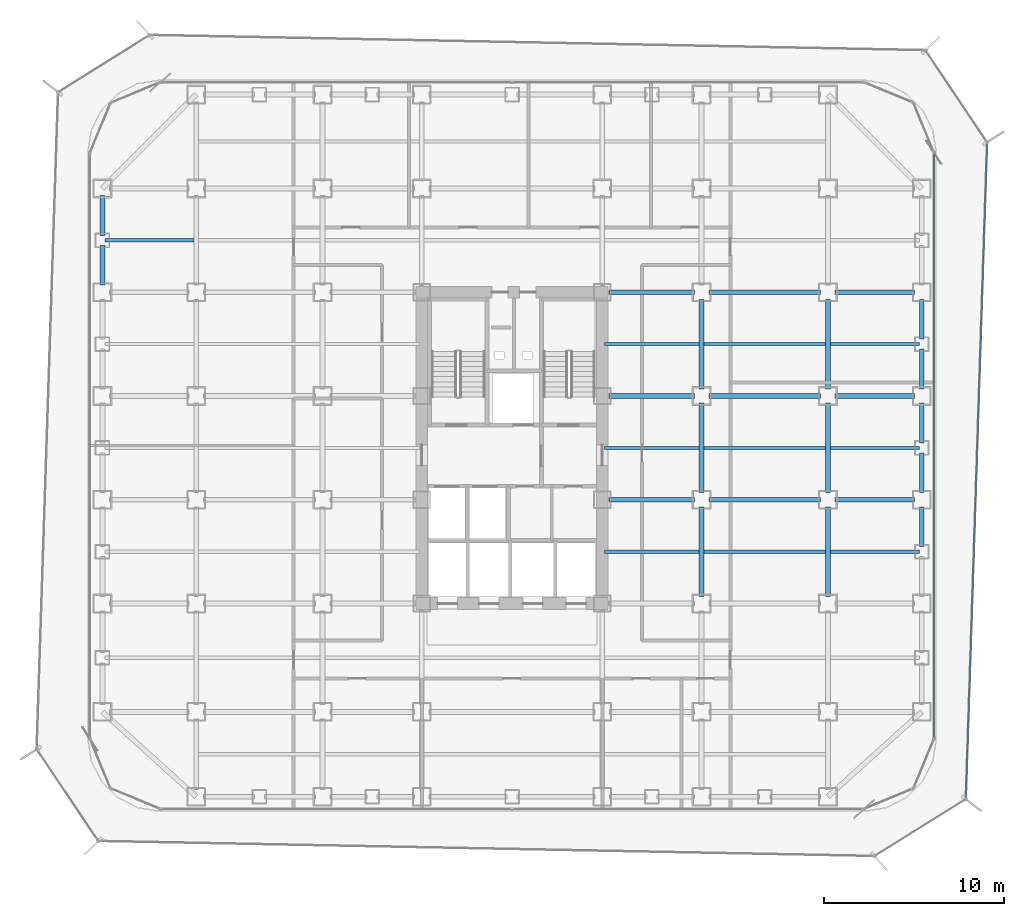
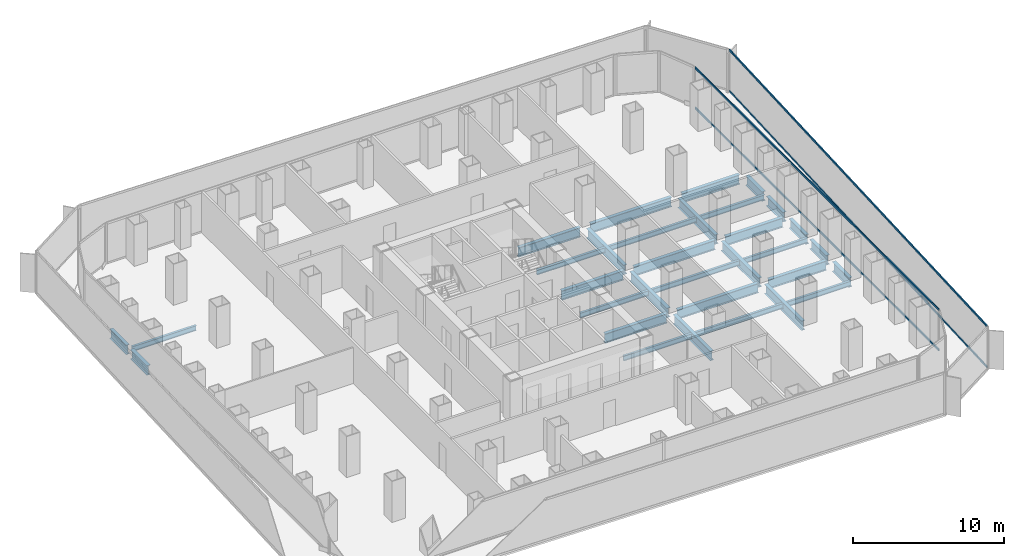
# One storey, part 9 of 21: 32 beams, 4 members, 2 elements without a shape of their own.
"""IFC4 building model written with IfcOpenShell, lengths in metres."""

from ifc_helpers import new_model, si_unit, direction, frame, origin, origin_2d, place, context, subcontext, project, spatial, hollow_rectangle, i_section, extrude, source, transform, mapped, material, layer, layer_set, material_profile, profile_set, type_object, element, aggregate, save


model = new_model("IFC4")

# Units and contexts
model_context = context("Model", 3, precision=1e-05, world=origin(), true_north=direction((0.0, 1.0)))
body_context = subcontext(model_context, "Body", "Model", "MODEL_VIEW")
ifc_project = project(units=[si_unit("LENGTHUNIT", "METRE"), si_unit("AREAUNIT", "SQUARE_METRE"), si_unit("VOLUMEUNIT", "CUBIC_METRE"), si_unit("PLANEANGLEUNIT", "RADIAN"), si_unit("MASSUNIT", "GRAM", prefix="KILO")], contexts=[model_context])

# Site, building, storey
site_placement = place(None, origin())
site = spatial("IfcSite", under=ifc_project, at=site_placement, CompositionType="ELEMENT")
building_placement = place(site_placement, origin())
building = spatial("IfcBuilding", under=site, at=building_placement, Name="Kolveth Station Tower", CompositionType="ELEMENT")
storey_placement = place(building_placement, frame((0.0, 0.0, 33.300048828125)))
storey = spatial("IfcBuildingStorey", under=building, at=storey_placement, Name="L08", CompositionType="ELEMENT", Elevation=33.300048828125)

# Beams
ifc_material_1 = material(Name="Steel S355", Category="steel")
ifc_material_profile_1 = material_profile(ifc_material_1, i_section(OverallWidth=0.26904296875, OverallDepth=0.77490234375, WebThickness=0.01708984375, FlangeThickness=0.0283203125, at=origin_2d()), Name="W760x220")
ifc_profile_set_1 = profile_set([ifc_material_profile_1], Name="Steel S355")
beam_type_1 = type_object("IfcBeamType", Name="Beam_SP1", PredefinedType="SPANDREL", material=ifc_profile_set_1)
shared_shape_1 = source(origin(), body_context, "Body", "SweptSolid", [
    extrude(i_section(OverallWidth=0.26904296875, OverallDepth=0.77490234375, WebThickness=0.01708984375, FlangeThickness=0.0283203125, at=origin_2d()), origin(), (0.0, 0.0, 1.0), 2.2001953125),
])
for number, where, z_axis, x_axis, name in (
    (1, (0.800048828125, 31.89990234375, -0.66748046875), (0.0, 1.0, 0.0), (-1.0, 0.0, 0.0), "L08 Perimeter Spandrel BM-L08-PW-10"),
    (2, (46.199951171875, 20.39990234375, -0.66748046875), (0.0, 1.0, 0.0), (-1.0, 0.0, 0.0), "L08 Perimeter Spandrel BM-L08-PE-6"),
    (3, (46.199951171875, 23.39990234375, -0.66748046875), (0.0, 1.0, 0.0), (-1.0, 0.0, 0.0), "L08 Perimeter Spandrel BM-L08-PE-7"),
):
    element("IfcBeam", number, at=place(storey_placement, frame(where, z_axis=z_axis, x_axis=x_axis)), inside=storey, type_object=beam_type_1, Name=name, PredefinedType="SPANDREL", context=body_context, shape_type="MappedRepresentation", body=[
        mapped(shared_shape_1, transform((0.0, 0.0, 0.0), x_axis=(1.0, 0.0, 0.0), y_axis=(0.0, 1.0, 0.0), z_axis=(0.0, 0.0, 1.0), scale=1.0)),
    ])
shared_shape_2 = source(origin(), body_context, "Body", "SweptSolid", [
    extrude(i_section(OverallWidth=0.26904296875, OverallDepth=0.77490234375, WebThickness=0.01708984375, FlangeThickness=0.0283203125, at=origin_2d()), origin(), (0.0, 0.0, 1.0), 2.190185546875),
])
for number, where, z_axis, x_axis, name in (
    (4, (0.800048828125, 29.14990234375, -0.66748046875), (0.0, 1.0, 0.0), (-1.0, 0.0, 0.0), "L08 Perimeter Spandrel BM-L08-PW-9"),
    (5, (46.199951171875, 14.659912109375, -0.66748046875), (0.0, 1.0, 0.0), (-1.0, 0.0, 0.0), "L08 Perimeter Spandrel BM-L08-PE-4"),
    (6, (46.199951171875, 17.64990234375, -0.66748046875), (0.0, 1.0, 0.0), (-1.0, 0.0, 0.0), "L08 Perimeter Spandrel BM-L08-PE-5"),
    (7, (46.199951171875, 26.159912109375, -0.66748046875), (0.0, 1.0, 0.0), (-1.0, 0.0, 0.0), "L08 Perimeter Spandrel BM-L08-PE-8"),
):
    element("IfcBeam", number, at=place(storey_placement, frame(where, z_axis=z_axis, x_axis=x_axis)), inside=storey, type_object=beam_type_1, Name=name, PredefinedType="SPANDREL", context=body_context, shape_type="MappedRepresentation", body=[
        mapped(shared_shape_2, transform((0.0, 0.0, 0.0), x_axis=(1.0, 0.0, 0.0), y_axis=(0.0, 1.0, 0.0), z_axis=(0.0, 0.0, 1.0), scale=1.0)),
    ])
ifc_material_profile_2 = material_profile(ifc_material_1, i_section(OverallWidth=0.26708984375, OverallDepth=0.76611328125, WebThickness=0.014892578125, FlangeThickness=0.023681640625, at=origin_2d()), Name="W760x185")
ifc_profile_set_2 = profile_set([ifc_material_profile_2], Name="Steel S355")
beam_type_2 = type_object("IfcBeamType", Name="Beam_B3", PredefinedType="BEAM", material=ifc_profile_set_2)
shared_shape_3 = source(origin(), body_context, "Body", "SweptSolid", [
    extrude(i_section(OverallWidth=0.26708984375, OverallDepth=0.76611328125, WebThickness=0.014892578125, FlangeThickness=0.023681640625, at=origin_2d()), origin(), (0.0, 0.0, 1.0), 4.400146484375),
])
for number, where, z_axis, x_axis, name in (
    (8, (41.39990234375, 17.25, -0.6630859375), (1.0, 0.0, 0.0), (0.0, 1.0, 0.0), "L08 Primary Girder BM-L08-GY172-7"),
    (9, (41.39990234375, 23.0, -0.6630859375), (1.0, 0.0, 0.0), (0.0, 1.0, 0.0), "L08 Primary Girder BM-L08-GY230-7"),
    (10, (41.39990234375, 28.75, -0.6630859375), (1.0, 0.0, 0.0), (0.0, 1.0, 0.0), "L08 Primary Girder BM-L08-GY287-7"),
):
    element("IfcBeam", number, at=place(storey_placement, frame(where, z_axis=z_axis, x_axis=x_axis)), inside=storey, type_object=beam_type_2, Name=name, PredefinedType="BEAM", context=body_context, shape_type="MappedRepresentation", body=[
        mapped(shared_shape_3, transform((0.0, 0.0, 0.0), x_axis=(1.0, 0.0, 0.0), y_axis=(0.0, 1.0, 0.0), z_axis=(0.0, 0.0, 1.0), scale=1.0)),
    ])
shared_shape_4 = source(origin(), body_context, "Body", "SweptSolid", [
    extrude(i_section(OverallWidth=0.26708984375, OverallDepth=0.76611328125, WebThickness=0.014892578125, FlangeThickness=0.023681640625, at=origin_2d()), origin(), (0.0, 0.0, 1.0), 6.2001953125),
])
for number, where, z_axis, x_axis, name in (
    (11, (34.39990234375, 17.25, -0.6630859375), (1.0, 0.0, 0.0), (0.0, 1.0, 0.0), "L08 Primary Girder BM-L08-GY172-6"),
    (12, (34.39990234375, 23.0, -0.6630859375), (1.0, 0.0, 0.0), (0.0, 1.0, 0.0), "L08 Primary Girder BM-L08-GY230-6"),
    (13, (34.39990234375, 28.75, -0.6630859375), (1.0, 0.0, 0.0), (0.0, 1.0, 0.0), "L08 Primary Girder BM-L08-GY287-6"),
):
    element("IfcBeam", number, at=place(storey_placement, frame(where, z_axis=z_axis, x_axis=x_axis)), inside=storey, type_object=beam_type_2, Name=name, PredefinedType="BEAM", context=body_context, shape_type="MappedRepresentation", body=[
        mapped(shared_shape_4, transform((0.0, 0.0, 0.0), x_axis=(1.0, 0.0, 0.0), y_axis=(0.0, 1.0, 0.0), z_axis=(0.0, 0.0, 1.0), scale=1.0)),
    ])
shared_shape_5 = source(origin(), body_context, "Body", "SweptSolid", [
    extrude(i_section(OverallWidth=0.26708984375, OverallDepth=0.76611328125, WebThickness=0.014892578125, FlangeThickness=0.023681640625, at=origin_2d()), origin(), (0.0, 0.0, 1.0), 4.739990234375),
])
for number, where, z_axis, x_axis, name in (
    (14, (28.860107421875, 17.25, -0.6630859375), (1.0, 0.0, 0.0), (0.0, 1.0, 0.0), "L08 Primary Girder BM-L08-GY172-5"),
    (15, (28.860107421875, 23.0, -0.6630859375), (1.0, 0.0, 0.0), (0.0, 1.0, 0.0), "L08 Primary Girder BM-L08-GY230-5"),
    (16, (28.860107421875, 28.75, -0.6630859375), (1.0, 0.0, 0.0), (0.0, 1.0, 0.0), "L08 Primary Girder BM-L08-GY287-5"),
):
    element("IfcBeam", number, at=place(storey_placement, frame(where, z_axis=z_axis, x_axis=x_axis)), inside=storey, type_object=beam_type_2, Name=name, PredefinedType="BEAM", context=body_context, shape_type="MappedRepresentation", body=[
        mapped(shared_shape_5, transform((0.0, 0.0, 0.0), x_axis=(1.0, 0.0, 0.0), y_axis=(0.0, 1.0, 0.0), z_axis=(0.0, 0.0, 1.0), scale=1.0)),
    ])
shared_shape_6 = source(origin(), body_context, "Body", "SweptSolid", [
    extrude(i_section(OverallWidth=0.26708984375, OverallDepth=0.76611328125, WebThickness=0.014892578125, FlangeThickness=0.023681640625, at=origin_2d()), origin(), (0.0, 0.0, 1.0), 4.9501953125),
])
for number, where, z_axis, x_axis, name in (
    (17, (34.0, 11.89990234375, -0.6630859375), (0.0, 1.0, 0.0), (-1.0, 0.0, 0.0), "L08 Primary Girder BM-L08-GX340-3"),
    (18, (34.0, 17.64990234375, -0.6630859375), (0.0, 1.0, 0.0), (-1.0, 0.0, 0.0), "L08 Primary Girder BM-L08-GX340-4"),
    (19, (34.0, 23.39990234375, -0.6630859375), (0.0, 1.0, 0.0), (-1.0, 0.0, 0.0), "L08 Primary Girder BM-L08-GX340-5"),
    (20, (41.0, 11.89990234375, -0.6630859375), (0.0, 1.0, 0.0), (-1.0, 0.0, 0.0), "L08 Primary Girder BM-L08-GX410-3"),
    (21, (41.0, 17.64990234375, -0.6630859375), (0.0, 1.0, 0.0), (-1.0, 0.0, 0.0), "L08 Primary Girder BM-L08-GX410-4"),
    (22, (41.0, 23.39990234375, -0.6630859375), (0.0, 1.0, 0.0), (-1.0, 0.0, 0.0), "L08 Primary Girder BM-L08-GX410-5"),
):
    element("IfcBeam", number, at=place(storey_placement, frame(where, z_axis=z_axis, x_axis=x_axis)), inside=storey, type_object=beam_type_2, Name=name, PredefinedType="BEAM", context=body_context, shape_type="MappedRepresentation", body=[
        mapped(shared_shape_6, transform((0.0, 0.0, 0.0), x_axis=(1.0, 0.0, 0.0), y_axis=(0.0, 1.0, 0.0), z_axis=(0.0, 0.0, 1.0), scale=1.0)),
    ])
ifc_material_profile_3 = material_profile(ifc_material_1, i_section(OverallWidth=0.177978515625, OverallDepth=0.406982421875, WebThickness=0.0078125, FlangeThickness=0.0126953125, at=origin_2d()), Name="W410x60")
ifc_profile_set_3 = profile_set([ifc_material_profile_3], Name="Steel S355")
beam_type_3 = type_object("IfcBeamType", Name="Beam_J1", PredefinedType="JOIST", material=ifc_profile_set_3)
shared_shape_7 = source(origin(), body_context, "Body", "SweptSolid", [
    extrude(i_section(OverallWidth=0.177978515625, OverallDepth=0.406982421875, WebThickness=0.0078125, FlangeThickness=0.0126953125, at=origin_2d()), origin(), (0.0, 0.0, 1.0), 4.935791015625),
])
for number, where, z_axis, x_axis, name in (
    (23, (0.9326171875, 31.625, -0.483642578125), (1.0, 0.0, 0.0), (0.0, 1.0, 0.0), "L08 Secondary Joist JST-L08-1-6"),
    (24, (41.131591796875, 14.375, -0.483642578125), (1.0, 0.0, 0.0), (0.0, 1.0, 0.0), "L08 Secondary Joist JST-L08-7-3"),
    (25, (41.131591796875, 20.125, -0.483642578125), (1.0, 0.0, 0.0), (0.0, 1.0, 0.0), "L08 Secondary Joist JST-L08-7-4"),
    (26, (41.131591796875, 25.875, -0.483642578125), (1.0, 0.0, 0.0), (0.0, 1.0, 0.0), "L08 Secondary Joist JST-L08-7-5"),
):
    element("IfcBeam", number, at=place(storey_placement, frame(where, z_axis=z_axis, x_axis=x_axis)), inside=storey, type_object=beam_type_3, Name=name, PredefinedType="JOIST", context=body_context, shape_type="MappedRepresentation", body=[
        mapped(shared_shape_7, transform((0.0, 0.0, 0.0), x_axis=(1.0, 0.0, 0.0), y_axis=(0.0, 1.0, 0.0), z_axis=(0.0, 0.0, 1.0), scale=1.0)),
    ])
shared_shape_8 = source(origin(), body_context, "Body", "SweptSolid", [
    extrude(i_section(OverallWidth=0.177978515625, OverallDepth=0.406982421875, WebThickness=0.0078125, FlangeThickness=0.0126953125, at=origin_2d()), origin(), (0.0, 0.0, 1.0), 6.73681640625),
])
for number, where, z_axis, x_axis, name in (
    (27, (34.131591796875, 14.375, -0.483642578125), (1.0, 0.0, 0.0), (0.0, 1.0, 0.0), "L08 Secondary Joist JST-L08-6-3"),
    (28, (34.131591796875, 20.125, -0.483642578125), (1.0, 0.0, 0.0), (0.0, 1.0, 0.0), "L08 Secondary Joist JST-L08-6-4"),
    (29, (34.131591796875, 25.875, -0.483642578125), (1.0, 0.0, 0.0), (0.0, 1.0, 0.0), "L08 Secondary Joist JST-L08-6-5"),
):
    element("IfcBeam", number, at=place(storey_placement, frame(where, z_axis=z_axis, x_axis=x_axis)), inside=storey, type_object=beam_type_3, Name=name, PredefinedType="JOIST", context=body_context, shape_type="MappedRepresentation", body=[
        mapped(shared_shape_8, transform((0.0, 0.0, 0.0), x_axis=(1.0, 0.0, 0.0), y_axis=(0.0, 1.0, 0.0), z_axis=(0.0, 0.0, 1.0), scale=1.0)),
    ])
shared_shape_9 = source(origin(), body_context, "Body", "SweptSolid", [
    extrude(i_section(OverallWidth=0.177978515625, OverallDepth=0.406982421875, WebThickness=0.0078125, FlangeThickness=0.0126953125, at=origin_2d()), origin(), (0.0, 0.0, 1.0), 5.23681640625),
])
for number, where, z_axis, x_axis, name in (
    (30, (28.631591796875, 14.375, -0.483642578125), (1.0, 0.0, 0.0), (0.0, 1.0, 0.0), "L08 Secondary Joist JST-L08-5-3"),
    (31, (28.631591796875, 20.125, -0.483642578125), (1.0, 0.0, 0.0), (0.0, 1.0, 0.0), "L08 Secondary Joist JST-L08-5-4"),
    (32, (28.631591796875, 25.875, -0.483642578125), (1.0, 0.0, 0.0), (0.0, 1.0, 0.0), "L08 Secondary Joist JST-L08-5-5"),
):
    element("IfcBeam", number, at=place(storey_placement, frame(where, z_axis=z_axis, x_axis=x_axis)), inside=storey, type_object=beam_type_3, Name=name, PredefinedType="JOIST", context=body_context, shape_type="MappedRepresentation", body=[
        mapped(shared_shape_9, transform((0.0, 0.0, 0.0), x_axis=(1.0, 0.0, 0.0), y_axis=(0.0, 1.0, 0.0), z_axis=(0.0, 0.0, 1.0), scale=1.0)),
    ])

# Curtain wall, members
ifc_material_2 = material(Name="Aluminium 6063-T6 and low-E dark glass", Category="aluminium")
ifc_layer_1 = layer(ifc_material_2, 0.179931640625)
ifc_layer_set_1 = layer_set([ifc_layer_1], Name="Aluminium 6063-T6 and low-E dark glass")
curtain_wall_type_1 = type_object("IfcCurtainWallType", Name="CurtainWall_CW-Z1", PredefinedType="NOTDEFINED", material=ifc_layer_set_1)
curtain_wall_1_placement = place(storey_placement, origin())
curtain_wall_1 = element("IfcCurtainWall", 33, at=curtain_wall_1_placement, inside=storey, type_object=curtain_wall_type_1, Name="L08 Inner Thermal Curtain Wall 3", PredefinedType="NOTDEFINED")
ifc_material_3 = material(Name="Black anodized aluminium 6063-T6", Category="aluminium")
ifc_material_profile_4 = material_profile(ifc_material_3, hollow_rectangle(XDim=0.074951171875, YDim=0.159912109375, WallThickness=0.0048828125, at=origin_2d()), Name="ALU-75x160x5")
ifc_profile_set_4 = profile_set([ifc_material_profile_4], Name="Black anodized aluminium 6063-T6")
member_type_1 = type_object("IfcMemberType", Name="Transom_TR1", PredefinedType="USERDEFINED", material=ifc_profile_set_4)
shared_shape_10 = source(origin(), body_context, "Body", "SweptSolid", [
    extrude(hollow_rectangle(XDim=0.074951171875, YDim=0.159912109375, WallThickness=0.0048828125, at=origin_2d()), origin(), (0.0, 0.0, 1.0), 32.35009765625),
])
member_1_placement = place(storey_placement, frame((46.8798828125, 4.074951171875, 0.037353515625), z_axis=(0.0, 1.0, 0.0), x_axis=(-1.0, 0.0, 0.0)))
member_1 = element("IfcMember", 34, at=member_1_placement, type_object=member_type_1, Name="CW-Z1 transom 1.1", ObjectType="TRANSOM", PredefinedType="USERDEFINED", context=body_context, shape_type="MappedRepresentation", body=[
    mapped(shared_shape_10, transform((0.0, 0.0, 0.0), x_axis=(1.0, 0.0, 0.0), y_axis=(0.0, 1.0, 0.0), z_axis=(0.0, 0.0, 1.0), scale=1.0)),
])
member_2_placement = place(storey_placement, frame((46.8798828125, 4.074951171875, 3.282470703125), z_axis=(0.0, 1.0, 0.0), x_axis=(-1.0, 0.0, 0.0)))
member_2 = element("IfcMember", 35, at=member_2_placement, type_object=member_type_1, Name="CW-Z1 transom 1.2", ObjectType="TRANSOM", PredefinedType="USERDEFINED", context=body_context, shape_type="MappedRepresentation", body=[
    mapped(shared_shape_10, transform((0.0, 0.0, 0.0), x_axis=(1.0, 0.0, 0.0), y_axis=(0.0, 1.0, 0.0), z_axis=(0.0, 0.0, 1.0), scale=1.0)),
])
aggregate(curtain_wall_1, [member_1, member_2])

ifc_material_4 = material(Name="Black anodized aluminium 6063-T6 and dark solar glass", Category="aluminium")
ifc_layer_2 = layer(ifc_material_4, 0.159912109375)
ifc_layer_set_2 = layer_set([ifc_layer_2], Name="Black anodized aluminium 6063-T6 and dark solar glass")
curtain_wall_type_2 = type_object("IfcCurtainWallType", Name="OUTER SKIN CW-OS", PredefinedType="NOTDEFINED", material=ifc_layer_set_2)
curtain_wall_2_placement = place(storey_placement, origin())
curtain_wall_2 = element("IfcCurtainWall", 36, at=curtain_wall_2_placement, inside=storey, type_object=curtain_wall_type_2, Name="L08 Outer Ventilated Skin Curtain Wall 2", PredefinedType="NOTDEFINED")
ifc_material_profile_5 = material_profile(ifc_material_3, hollow_rectangle(XDim=0.080078125, YDim=0.14990234375, WallThickness=0.0048828125, at=origin_2d()), Name="ALU-80x150x5")
ifc_profile_set_5 = profile_set([ifc_material_profile_5], Name="Black anodized aluminium 6063-T6")
member_type_2 = type_object("IfcMemberType", Name="Transom_TR-OS", PredefinedType="USERDEFINED", material=ifc_profile_set_5)
shared_shape_11 = source(origin(), body_context, "Body", "SweptSolid", [
    extrude(hollow_rectangle(XDim=0.080078125, YDim=0.14990234375, WallThickness=0.0048828125, at=origin_2d()), origin(), (0.0, 0.0, 1.0), 36.236083984375),
])
member_3_placement = place(storey_placement, frame((48.651611328125, 0.75732421875, 0.0400390625), z_axis=(0.032346810885, 0.999476704994, 0.0), x_axis=(-0.999476704994, 0.032346810885, 0.0)))
member_3 = element("IfcMember", 37, at=member_3_placement, type_object=member_type_2, Name="CW-OS transom 1.1", ObjectType="TRANSOM", PredefinedType="USERDEFINED", context=body_context, shape_type="MappedRepresentation", body=[
    mapped(shared_shape_11, transform((0.0, 0.0, 0.0), x_axis=(1.0, 0.0, 0.0), y_axis=(0.0, 1.0, 0.0), z_axis=(0.0, 0.0, 1.0), scale=1.0)),
])
member_4_placement = place(storey_placement, frame((48.651611328125, 0.75732421875, 3.349853515625), z_axis=(0.032346810885, 0.999476704994, 0.0), x_axis=(-0.999476704994, 0.032346810885, 0.0)))
member_4 = element("IfcMember", 38, at=member_4_placement, type_object=member_type_2, Name="CW-OS transom 1.2", ObjectType="TRANSOM", PredefinedType="USERDEFINED", context=body_context, shape_type="MappedRepresentation", body=[
    mapped(shared_shape_11, transform((0.0, 0.0, 0.0), x_axis=(1.0, 0.0, 0.0), y_axis=(0.0, 1.0, 0.0), z_axis=(0.0, 0.0, 1.0), scale=1.0)),
])
aggregate(curtain_wall_2, [member_3, member_4])

save(model, "model.ifc")
